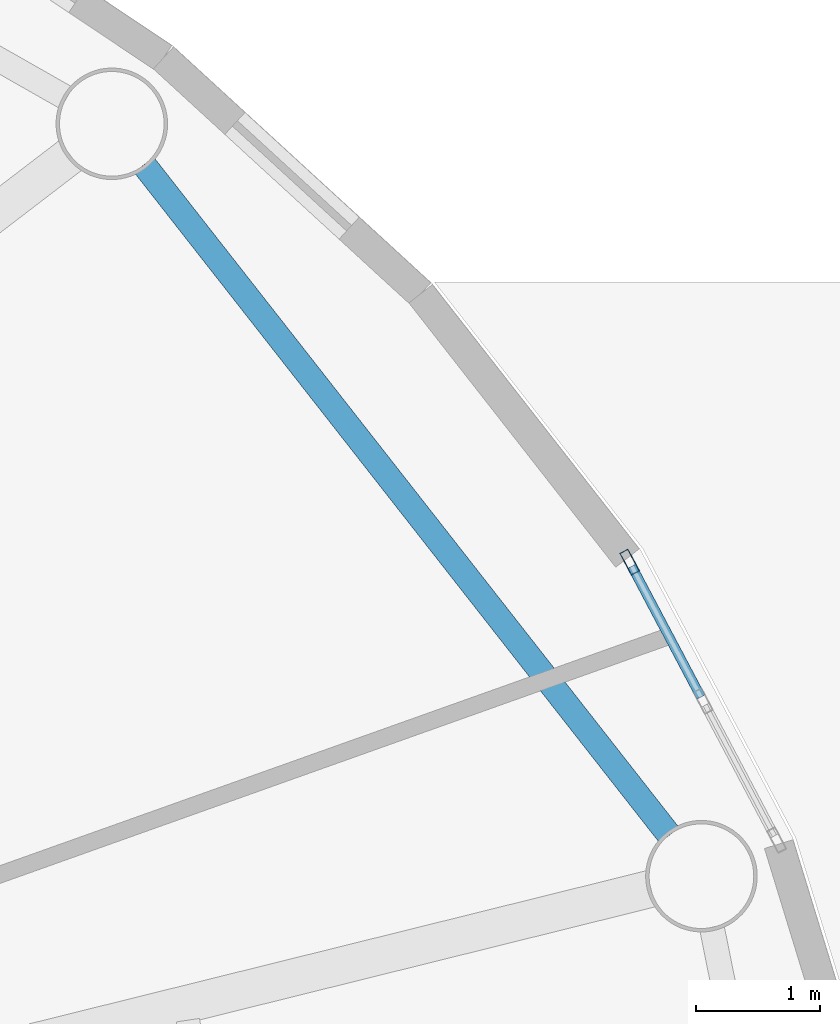
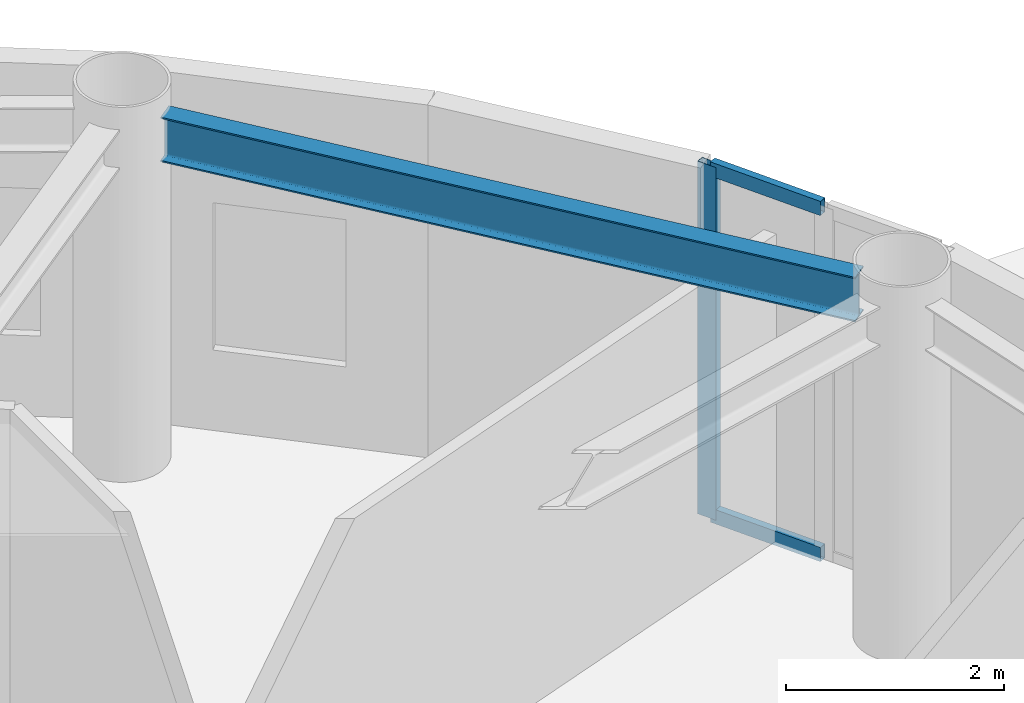
# One storey, part 12 of 24: 3 members, 1 beam, 1 element without a shape of its own.
"""IFC4 building model written with IfcOpenShell, lengths in metres."""

from ifc_helpers import new_model, si_unit, direction, frame, origin, origin_2d, place, context, subcontext, project, spatial, hollow_rectangle, i_section, extrude, source, transform, mapped, material, layer, layer_set, material_profile, profile_set, type_object, element, aggregate, save


model = new_model("IFC4")

# Units and contexts
model_context = context("Model", 3, precision=1e-05, world=origin(), true_north=direction((0.0, 1.0)))
body_context = subcontext(model_context, "Body", "Model", "MODEL_VIEW")
ifc_project = project(units=[si_unit("LENGTHUNIT", "METRE"), si_unit("AREAUNIT", "SQUARE_METRE"), si_unit("VOLUMEUNIT", "CUBIC_METRE"), si_unit("PLANEANGLEUNIT", "RADIAN"), si_unit("MASSUNIT", "GRAM", prefix="KILO")], contexts=[model_context])

# Site, building, storey
site_placement = place(None, origin())
site = spatial("IfcSite", under=ifc_project, at=site_placement, CompositionType="ELEMENT")
building_placement = place(site_placement, origin())
building = spatial("IfcBuilding", under=site, at=building_placement, Name="Linh Dai School and Residence Tower", CompositionType="ELEMENT")
storey_placement = place(building_placement, frame((0.0, 0.0, 355.199951171875)))
storey = spatial("IfcBuildingStorey", under=building, at=storey_placement, Name="L88", CompositionType="ELEMENT", Elevation=355.199951171875)

# Beam
ifc_material_1 = material(Name="Structural Steel S355JR", Category="steel")
ifc_material_profile_1 = material_profile(ifc_material_1, i_section(OverallWidth=0.199951171875, OverallDepth=0.5, WebThickness=0.01025390625, FlangeThickness=0.01611328125, FilletRadius=0.02099609375, at=origin_2d()), Name="IPE 500")
ifc_profile_set_1 = profile_set([ifc_material_profile_1], Name="Structural Steel S355JR")
beam_type = type_object("IfcBeamType", Name="BM-RB50", PredefinedType="BEAM", material=ifc_profile_set_1)
beam_placement = place(storey_placement, frame((54.498779296875, 31.9853515625, 3.699951171875), z_axis=(-0.616844770958, 0.787084829318, 0.0), x_axis=(-0.787084829318, -0.616844770958, 0.0)))
element("IfcBeam", 1, at=beam_placement, inside=storey, type_object=beam_type, Name="L88 Perimeter Elliptical Ring Beam 02", PredefinedType="BEAM", context=body_context, shape_type="SweptSolid", body=[
    extrude(i_section(OverallWidth=0.199951171875, OverallDepth=0.5, WebThickness=0.01025390625, FlangeThickness=0.01611328125, FilletRadius=0.02099609375, at=origin_2d()), origin(), (0.0, 0.0, 1.0), 6.869384765625),
])

# Curtain wall, members
ifc_material_2 = material(Name="Aluminium Anodised Curtain Wall", Category="aluminium")
ifc_layer = layer(ifc_material_2, 0.199951171875)
ifc_layer_set = layer_set([ifc_layer], Name="Aluminium Anodised Curtain Wall")
curtain_wall_type = type_object("IfcCurtainWallType", Name="CW-SYS-6", PredefinedType="USERDEFINED", material=ifc_layer_set)
curtain_wall_placement = place(storey_placement, origin())
curtain_wall = element("IfcCurtainWall", 2, at=curtain_wall_placement, inside=storey, type_object=curtain_wall_type, Name="L88 CW6 Curtain Wall 03", ObjectType="UNITISED CURTAIN WALL", PredefinedType="USERDEFINED")
ifc_material_3 = material(Name="Aluminium Alloy 6063-T6", Category="aluminium")
ifc_material_profile_2 = material_profile(ifc_material_3, hollow_rectangle(XDim=0.074951171875, YDim=0.199951171875, WallThickness=0.00390625, at=origin_2d()), Name="RHS 200x75x4")
ifc_profile_set_2 = profile_set([ifc_material_profile_2], Name="Aluminium Alloy 6063-T6")
member_type_1 = type_object("IfcMemberType", Name="CW-SYS-6-MUL", PredefinedType="MULLION", material=ifc_profile_set_2)
shared_shape_1 = source(origin(), body_context, "Body", "SweptSolid", [
    extrude(hollow_rectangle(XDim=0.074951171875, YDim=0.199951171875, WallThickness=0.00390625, at=origin_2d()), origin(), (0.0, 0.0, 1.0), 3.949951171875),
])
member_1_placement = place(storey_placement, frame((54.178466796875, 34.1875, 0.0), z_axis=(0.0, 0.0, 1.0), x_axis=(0.883971809156, 0.46754020214, 0.0)))
member_1 = element("IfcMember", 3, at=member_1_placement, type_object=member_type_1, Name="CW6 mullion 1", PredefinedType="MULLION", context=body_context, shape_type="MappedRepresentation", body=[
    mapped(shared_shape_1, transform((0.0, 0.0, 0.0), x_axis=(1.0, 0.0, 0.0), y_axis=(0.0, 1.0, 0.0), z_axis=(0.0, 0.0, 1.0), scale=1.0)),
])
ifc_material_profile_3 = material_profile(ifc_material_3, hollow_rectangle(XDim=0.074951171875, YDim=0.159912109375, WallThickness=0.00390625, at=origin_2d()), Name="RHS 160x75x4")
ifc_profile_set_3 = profile_set([ifc_material_profile_3], Name="Aluminium Alloy 6063-T6")
member_type_2 = type_object("IfcMemberType", Name="CW-SYS-6-TRN", PredefinedType="USERDEFINED", material=ifc_profile_set_3)
shared_shape_2 = source(origin(), body_context, "Body", "SweptSolid", [
    extrude(hollow_rectangle(XDim=0.074951171875, YDim=0.159912109375, WallThickness=0.00390625, at=origin_2d()), origin(), (0.0, 0.0, 1.0), 1.1923828125),
])
member_2_placement = place(storey_placement, frame((54.196044921875, 34.154296875, 0.03759765625), z_axis=(0.467407909731, -0.884041767068, 0.0), x_axis=(0.884041767068, 0.467407909731, 0.0)))
member_2 = element("IfcMember", 4, at=member_2_placement, type_object=member_type_2, Name="CW6 transom 1.1", ObjectType="TRANSOM", PredefinedType="USERDEFINED", context=body_context, shape_type="MappedRepresentation", body=[
    mapped(shared_shape_2, transform((0.0, 0.0, 0.0), x_axis=(1.0, 0.0, 0.0), y_axis=(0.0, 1.0, 0.0), z_axis=(0.0, 0.0, 1.0), scale=1.0)),
])
member_3_placement = place(storey_placement, frame((54.196044921875, 34.154296875, 3.91259765625), z_axis=(0.467407909731, -0.884041767068, 0.0), x_axis=(0.884041767068, 0.467407909731, 0.0)))
member_3 = element("IfcMember", 5, at=member_3_placement, type_object=member_type_2, Name="CW6 transom 1.2", ObjectType="TRANSOM", PredefinedType="USERDEFINED", context=body_context, shape_type="MappedRepresentation", body=[
    mapped(shared_shape_2, transform((0.0, 0.0, 0.0), x_axis=(1.0, 0.0, 0.0), y_axis=(0.0, 1.0, 0.0), z_axis=(0.0, 0.0, 1.0), scale=1.0)),
])
aggregate(curtain_wall, [member_1, member_2, member_3])

save(model, "model.ifc")
